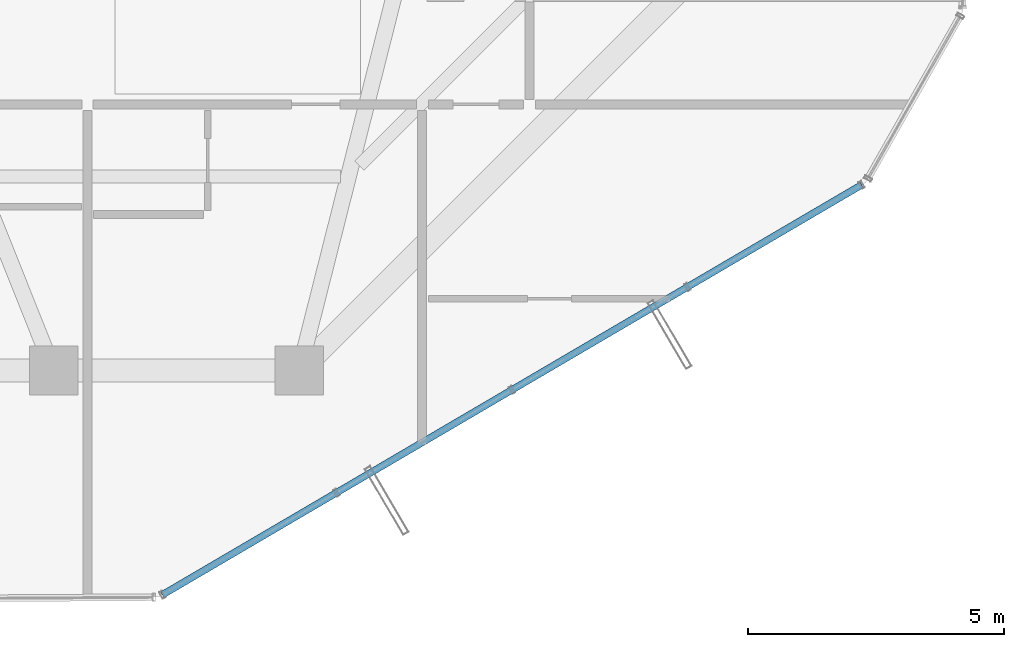
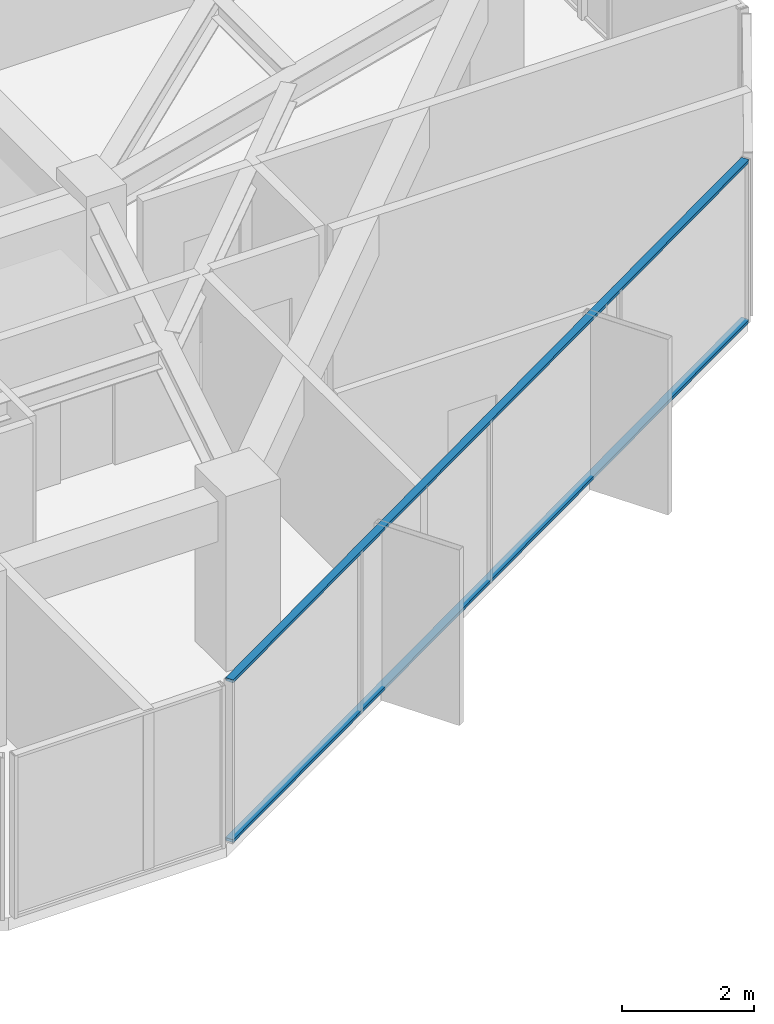
# One storey, part 8 of 31: 2 members, 1 element without a shape of its own.
"""IFC4 building model written with IfcOpenShell, lengths in metres."""

from ifc_helpers import new_model, si_unit, direction, frame, origin, origin_2d, place, context, subcontext, project, spatial, hollow_rectangle, extrude, source, transform, mapped, material, layer, layer_set, material_profile, profile_set, type_object, element, aggregate, save


model = new_model("IFC4")

# Units and contexts
model_context = context("Model", 3, precision=1e-05, world=origin(), true_north=direction((0.0, 1.0)))
body_context = subcontext(model_context, "Body", "Model", "MODEL_VIEW")
ifc_project = project(units=[si_unit("LENGTHUNIT", "METRE"), si_unit("AREAUNIT", "SQUARE_METRE"), si_unit("VOLUMEUNIT", "CUBIC_METRE"), si_unit("PLANEANGLEUNIT", "RADIAN"), si_unit("MASSUNIT", "GRAM", prefix="KILO")], contexts=[model_context])

# Site, building, storey
site_placement = place(None, origin())
site = spatial("IfcSite", under=ifc_project, at=site_placement, CompositionType="ELEMENT")
building_placement = place(site_placement, origin())
building = spatial("IfcBuilding", under=site, at=building_placement, Name="Veraguas Prism Commons", CompositionType="ELEMENT")
storey_placement = place(building_placement, frame((0.0, 0.0, 204.85009765625)))
storey = spatial("IfcBuildingStorey", under=building, at=storey_placement, Name="L58", CompositionType="ELEMENT", Elevation=204.85009765625)

# Curtain wall, members
ifc_material = material(Name="Anodised aluminium EN AW-6063 T6", Category="aluminium")
ifc_layer = layer(ifc_material, 0.14990234375, Name="Unitised Flush Curtain Wall Zone 3", Category="aluminium")
ifc_layer_set = layer_set([ifc_layer], Name="Anodised aluminium EN AW-6063 T6")
curtain_wall_type = type_object("IfcCurtainWallType", Name="Unitised Flush Curtain Wall Zone 3", PredefinedType="NOTDEFINED", material=ifc_layer_set)
curtain_wall_placement = place(storey_placement, origin())
curtain_wall = element("IfcCurtainWall", 1, at=curtain_wall_placement, inside=storey, type_object=curtain_wall_type, Name="Tower Facade Curtain Wall L58-F5", PredefinedType="NOTDEFINED")
ifc_material_profile = material_profile(ifc_material, hollow_rectangle(XDim=0.054931640625, YDim=0.135009765625, WallThickness=0.0029296875, at=origin_2d()), Name="AL55X135X3")
ifc_profile_set = profile_set([ifc_material_profile], Name="Anodised aluminium EN AW-6063 T6")
member_type = type_object("IfcMemberType", Name="Curtain Wall Transom Standard AL 55x135x3", PredefinedType="USERDEFINED", material=ifc_profile_set)
shared_shape = source(origin(), body_context, "Body", "SweptSolid", [
    extrude(hollow_rectangle(XDim=0.054931640625, YDim=0.135009765625, WallThickness=0.0029296875, at=origin_2d()), origin(), (0.0, 0.0, 1.0), 15.84228515625),
])
member_1_placement = place(storey_placement, frame((26.123046875, 4.715576171875, 0.02734375), z_axis=(0.862690319206, 0.505732551007, 0.0), x_axis=(0.0, 0.0, 1.0)))
member_1 = element("IfcMember", 2, at=member_1_placement, type_object=member_type, Name="CW-Z3 Transom 1", ObjectType="TRANSOM", PredefinedType="USERDEFINED", context=body_context, shape_type="MappedRepresentation", body=[
    mapped(shared_shape, transform((0.0, 0.0, 0.0), scale=1.0)),
])
member_2_placement = place(storey_placement, frame((26.123046875, 4.715576171875, 2.9873046875), z_axis=(0.862690319206, 0.505732551007, 0.0), x_axis=(0.0, 0.0, 1.0)))
member_2 = element("IfcMember", 3, at=member_2_placement, type_object=member_type, Name="CW-Z3 Transom 2", ObjectType="TRANSOM", PredefinedType="USERDEFINED", context=body_context, shape_type="MappedRepresentation", body=[
    mapped(shared_shape, transform((0.0, 0.0, 0.0), scale=1.0)),
])
aggregate(curtain_wall, [member_1, member_2])

save(model, "model.ifc")
